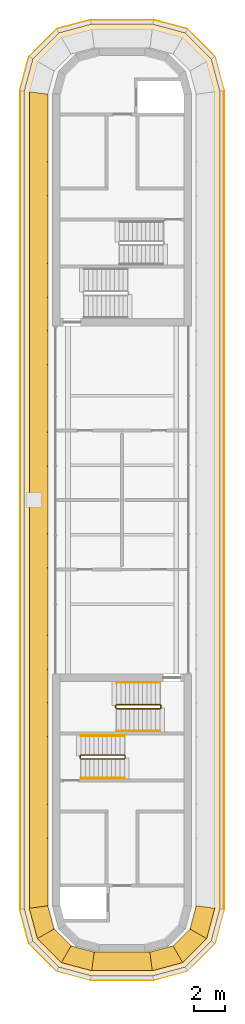
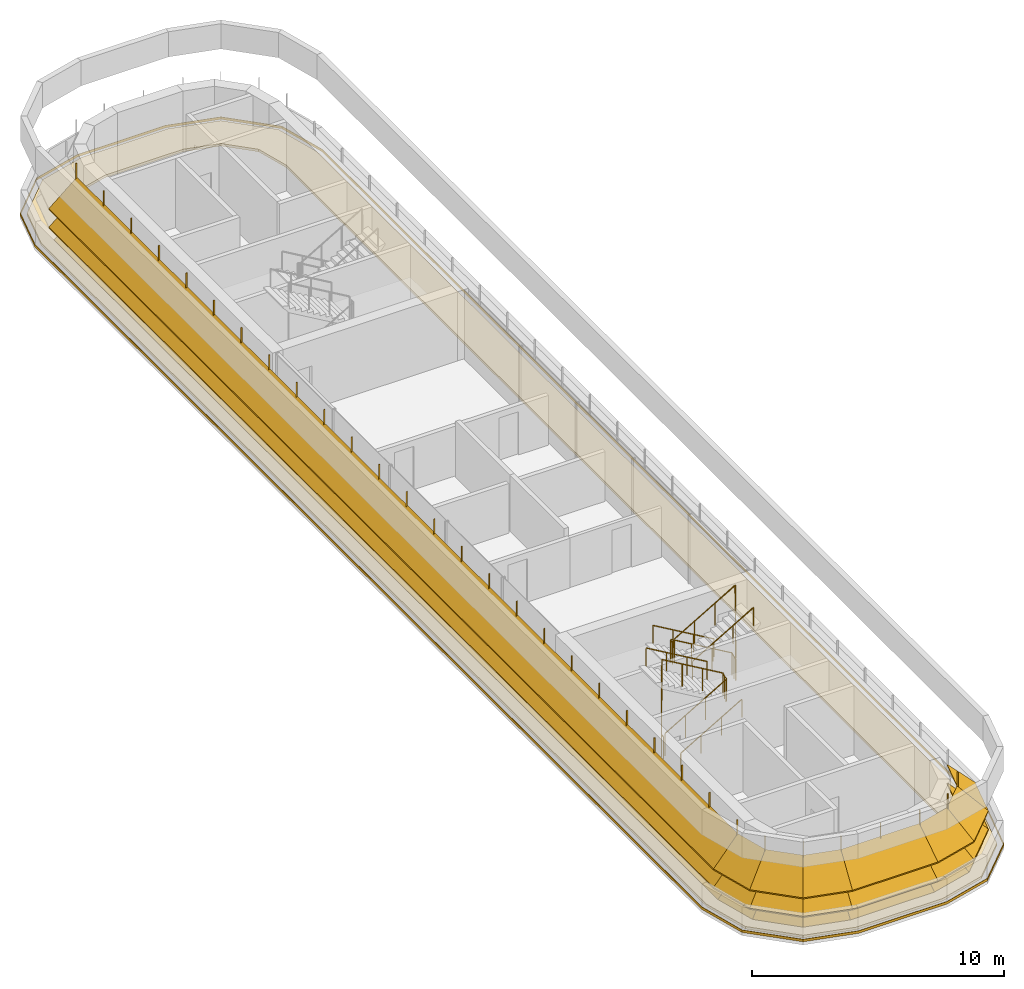
# One storey, part 5 of 6: 6 railings, 4 shading devices, 2 coverings.
"""IFC4 building model written with IfcOpenShell, lengths in metres."""

from ifc_helpers import new_model, si_unit, direction, frame, origin, origin_2d, place, context, subcontext, project, spatial, polyline, circle, outline, extrude, faceted_brep, source, transform, mapped, material, layer, layer_set, type_object, element, save


model = new_model("IFC4")

# Units and contexts
model_context = context("Model", 3, precision=1e-05, world=origin(), true_north=direction((0.0, 1.0)))
body_context = subcontext(model_context, "Body", "Model", "MODEL_VIEW")
ifc_project = project(units=[si_unit("LENGTHUNIT", "METRE"), si_unit("AREAUNIT", "SQUARE_METRE"), si_unit("VOLUMEUNIT", "CUBIC_METRE"), si_unit("PLANEANGLEUNIT", "RADIAN"), si_unit("MASSUNIT", "GRAM", prefix="KILO")], contexts=[model_context])

# Site, building, storey
site_placement = place(None, origin())
site = spatial("IfcSite", under=ifc_project, at=site_placement, CompositionType="ELEMENT")
building_placement = place(site_placement, origin())
building = spatial("IfcBuilding", under=site, at=building_placement, Name="Zarbagh Exchange Tower", CompositionType="ELEMENT")
storey_placement = place(building_placement, frame((0.0, 0.0, 316.800048828125)))
storey = spatial("IfcBuildingStorey", under=building, at=storey_placement, Name="L78", CompositionType="ELEMENT", Elevation=316.800048828125)

# Railings
ifc_material_1 = material(Name="Stainless steel", Category="steel")
railing_type_1 = type_object("IfcRailingType", Name="Stair guard 1100 mm", PredefinedType="GUARDRAIL", material=ifc_material_1)
railing_1_placement = place(storey_placement, frame((-2.64990234375, -16.75, 0.16357421875)))
element("IfcRailing", 1, at=railing_1_placement, inside=storey, type_object=railing_type_1, Name="ST3 stair guard 1", PredefinedType="GUARDRAIL", context=body_context, shape_type="SweptSolid", body=[
    extrude(circle(Radius=0.02392578125, at=origin_2d()), frame((0.0, 0.0, 1.076171875), z_axis=(0.863341702679, 0.0, 0.504619762213), x_axis=(0.0, 1.0, 0.0)), (0.0, 0.0, 1.0), 3.242919921875),
    extrude(circle(Radius=0.02392578125, at=origin_2d()), frame((2.7998046875, 0.0, 2.71240234375), z_axis=(0.707106781187, 0.707106781187, 0.0), x_axis=(-0.707106781187, 0.707106781187, 0.0)), (0.0, 0.0, 1.0), 0.07080078125),
    extrude(circle(Radius=0.02392578125, at=origin_2d()), frame((2.849853515625, 0.050048828125, 2.71240234375), z_axis=(0.0, 1.0, 0.0), x_axis=(-1.0, 0.0, 0.0)), (0.0, 0.0, 1.0), 0.14990234375),
    extrude(circle(Radius=0.02392578125, at=origin_2d()), frame((2.849853515625, 0.199951171875, 2.71240234375), z_axis=(-0.280808744504, 0.280808744504, 0.917765164963), x_axis=(-0.707106781187, -0.707106781187, 0.0)), (0.0, 0.0, 1.0), 0.17822265625),
    extrude(circle(Radius=0.02392578125, at=origin_2d()), frame((2.7998046875, 0.25, 2.8759765625), z_axis=(-0.863374499697, 0.0, 0.504563646405), x_axis=(0.0, -1.0, 0.0)), (0.0, 0.0, 1.0), 3.242919921875),
    extrude(circle(Radius=0.02392578125, at=origin_2d()), frame((0.0, 0.25, 4.51220703125), z_axis=(-0.013900331382, -0.013900331382, -0.999806762117), x_axis=(0.707106781187, -0.707106781187, 0.0)), (0.0, 0.0, 1.0), 3.6005859375),
    extrude(circle(Radius=0.02392578125, at=origin_2d()), frame((-0.050048828125, 0.199951171875, 0.91259765625), z_axis=(0.0, -1.0, 0.0), x_axis=(1.0, 0.0, 0.0)), (0.0, 0.0, 1.0), 0.14990234375),
    extrude(circle(Radius=0.02099609375, at=origin_2d()), origin(), (0.0, 0.0, 1.0), 1.052001953125),
    extrude(circle(Radius=0.02099609375, at=origin_2d()), frame((0.933349609375, 0.0, 0.54541015625)), (0.0, 0.0, 1.0), 1.052001953125),
    extrude(circle(Radius=0.02099609375, at=origin_2d()), frame((1.866455078125, 0.0, 1.091064453125)), (0.0, 0.0, 1.0), 1.052001953125),
    extrude(circle(Radius=0.02099609375, at=origin_2d()), frame((2.7998046875, 0.0, 1.636474609375)), (0.0, 0.0, 1.0), 1.052001953125),
    extrude(circle(Radius=0.02099609375, at=origin_2d()), frame((2.849853515625, 0.050048828125, 1.636474609375)), (0.0, 0.0, 1.0), 1.052001953125),
    extrude(circle(Radius=0.02099609375, at=origin_2d()), frame((2.849853515625, 0.199951171875, 1.636474609375)), (0.0, 0.0, 1.0), 1.052001953125),
    extrude(circle(Radius=0.02099609375, at=origin_2d()), frame((2.7998046875, 0.25, 1.800048828125)), (0.0, 0.0, 1.0), 1.052001953125),
    extrude(circle(Radius=0.02099609375, at=origin_2d()), frame((1.866455078125, 0.25, 2.345458984375)), (0.0, 0.0, 1.0), 1.052001953125),
    extrude(circle(Radius=0.02099609375, at=origin_2d()), frame((0.933349609375, 0.25, 2.890869140625)), (0.0, 0.0, 1.0), 1.052001953125),
    extrude(circle(Radius=0.02099609375, at=origin_2d()), frame((0.0, 0.25, 3.436279296875)), (0.0, 0.0, 1.0), 1.052001953125),
    extrude(circle(Radius=0.02099609375, at=origin_2d()), frame((-0.012451171875, 0.237548828125, 2.536376953125)), (0.0, 0.0, 1.0), 1.052001953125),
    extrude(circle(Radius=0.02099609375, at=origin_2d()), frame((-0.02490234375, 0.22509765625, 1.63623046875)), (0.0, 0.0, 1.0), 1.052001953125),
    extrude(circle(Radius=0.02099609375, at=origin_2d()), frame((-0.03759765625, 0.21240234375, 0.736328125)), (0.0, 0.0, 1.0), 1.052001953125),
    extrude(circle(Radius=0.02099609375, at=origin_2d()), frame((-0.050048828125, 0.199951171875, -0.16357421875)), (0.0, 0.0, 1.0), 1.052001953125),
    extrude(circle(Radius=0.02099609375, at=origin_2d()), frame((-0.050048828125, 0.050048828125, -0.16357421875)), (0.0, 0.0, 1.0), 1.052001953125),
])
railing_2_placement = place(storey_placement, frame((-0.35009765625, -13.5, 1.963623046875)))
element("IfcRailing", 2, at=railing_2_placement, inside=storey, type_object=railing_type_1, Name="ST4 stair guard 1", PredefinedType="GUARDRAIL", context=body_context, shape_type="SweptSolid", body=[
    extrude(circle(Radius=0.02392578125, at=origin_2d()), frame((0.0, 0.0, 1.076171875), z_axis=(0.863393664356, 0.0, 0.504530851732), x_axis=(0.0, 1.0, 0.0)), (0.0, 0.0, 1.0), 3.2431640625),
    extrude(circle(Radius=0.02392578125, at=origin_2d()), frame((2.800048828125, 0.0, 2.71240234375), z_axis=(0.013900331382, 0.013900331382, -0.999806762117), x_axis=(-0.707106781187, 0.707106781187, 0.0)), (0.0, 0.0, 1.0), 3.6005859375),
    extrude(circle(Radius=0.02392578125, at=origin_2d()), frame((2.85009765625, 0.050048828125, -0.8876953125), z_axis=(0.0, 1.0, 0.0), x_axis=(-1.0, 0.0, 0.0)), (0.0, 0.0, 1.0), 0.14990234375),
    extrude(circle(Radius=0.02392578125, at=origin_2d()), frame((2.85009765625, 0.199951171875, -0.8876953125), z_axis=(-0.280808744504, 0.280808744504, 0.917765164963), x_axis=(-0.707106781187, -0.707106781187, 0.0)), (0.0, 0.0, 1.0), 0.17822265625),
    extrude(circle(Radius=0.02392578125, at=origin_2d()), frame((2.800048828125, 0.25, -0.72412109375), z_axis=(-0.863360870873, 0.0, 0.504586966384), x_axis=(0.0, -1.0, 0.0)), (0.0, 0.0, 1.0), 3.2431640625),
    extrude(circle(Radius=0.02392578125, at=origin_2d()), frame((0.0, 0.25, 0.91259765625), z_axis=(-0.705375805398, -0.708833529934, 0.0), x_axis=(0.708833529934, -0.705375805398, 0.0)), (0.0, 0.0, 1.0), 0.070556640625),
    extrude(circle(Radius=0.02392578125, at=origin_2d()), frame((-0.0498046875, 0.199951171875, 0.91259765625), z_axis=(0.0, -1.0, 0.0), x_axis=(1.0, 0.0, 0.0)), (0.0, 0.0, 1.0), 0.14990234375),
    extrude(circle(Radius=0.02099609375, at=origin_2d()), origin(), (0.0, 0.0, 1.0), 1.052001953125),
    extrude(circle(Radius=0.02099609375, at=origin_2d()), frame((0.933349609375, 0.0, 0.54541015625)), (0.0, 0.0, 1.0), 1.052001953125),
    extrude(circle(Radius=0.02099609375, at=origin_2d()), frame((1.86669921875, 0.0, 1.0908203125)), (0.0, 0.0, 1.0), 1.052001953125),
    extrude(circle(Radius=0.02099609375, at=origin_2d()), frame((2.800048828125, 0.0, 1.63623046875)), (0.0, 0.0, 1.0), 1.052001953125),
    extrude(circle(Radius=0.02099609375, at=origin_2d()), frame((2.8125, 0.012451171875, 0.736328125)), (0.0, 0.0, 1.0), 1.052001953125),
    extrude(circle(Radius=0.02099609375, at=origin_2d()), frame((2.8251953125, 0.02490234375, -0.16357421875)), (0.0, 0.0, 1.0), 1.052001953125),
    extrude(circle(Radius=0.02099609375, at=origin_2d()), frame((2.837646484375, 0.03759765625, -1.063720703125)), (0.0, 0.0, 1.0), 1.052001953125),
    extrude(circle(Radius=0.02099609375, at=origin_2d()), frame((2.85009765625, 0.050048828125, -1.963623046875)), (0.0, 0.0, 1.0), 1.052001953125),
    extrude(circle(Radius=0.02099609375, at=origin_2d()), frame((2.85009765625, 0.199951171875, -1.963623046875)), (0.0, 0.0, 1.0), 1.052001953125),
    extrude(circle(Radius=0.02099609375, at=origin_2d()), frame((2.800048828125, 0.25, -1.800048828125)), (0.0, 0.0, 1.0), 1.052001953125),
    extrude(circle(Radius=0.02099609375, at=origin_2d()), frame((1.86669921875, 0.25, -1.254638671875)), (0.0, 0.0, 1.0), 1.052001953125),
    extrude(circle(Radius=0.02099609375, at=origin_2d()), frame((0.933349609375, 0.25, -0.708984375)), (0.0, 0.0, 1.0), 1.052001953125),
    extrude(circle(Radius=0.02099609375, at=origin_2d()), frame((0.0, 0.25, -0.16357421875)), (0.0, 0.0, 1.0), 1.052001953125),
    extrude(circle(Radius=0.02099609375, at=origin_2d()), frame((-0.0498046875, 0.199951171875, -0.16357421875)), (0.0, 0.0, 1.0), 1.052001953125),
    extrude(circle(Radius=0.02099609375, at=origin_2d()), frame((-0.0498046875, 0.050048828125, -0.16357421875)), (0.0, 0.0, 1.0), 1.052001953125),
])
railing_type_2 = type_object("IfcRailingType", Name="Stair handrail 900 mm", PredefinedType="HANDRAIL", material=ifc_material_1)
railing_3_placement = place(storey_placement, frame((-2.64990234375, -18.0, 0.16357421875)))
element("IfcRailing", 3, at=railing_3_placement, inside=storey, type_object=railing_type_2, Name="ST3 stair handrail 1", PredefinedType="HANDRAIL", context=body_context, shape_type="SweptSolid", body=[
    extrude(circle(Radius=0.02392578125, at=origin_2d()), frame((0.0, 0.0, 0.8759765625), z_axis=(0.863341702679, 0.0, 0.504619762213), x_axis=(0.0, 1.0, 0.0)), (0.0, 0.0, 1.0), 3.242919921875),
    extrude(circle(Radius=0.02099609375, at=origin_2d()), origin(), (0.0, 0.0, 1.0), 0.851806640625),
    extrude(circle(Radius=0.02099609375, at=origin_2d()), frame((0.933349609375, 0.0, 0.54541015625)), (0.0, 0.0, 1.0), 0.851806640625),
    extrude(circle(Radius=0.02099609375, at=origin_2d()), frame((1.866455078125, 0.0, 1.091064453125)), (0.0, 0.0, 1.0), 0.851806640625),
    extrude(circle(Radius=0.02099609375, at=origin_2d()), frame((2.7998046875, 0.0, 1.636474609375)), (0.0, 0.0, 1.0), 0.851806640625),
])
railing_4_placement = place(storey_placement, frame((0.14990234375, -15.25, 1.963623046875)))
element("IfcRailing", 4, at=railing_4_placement, inside=storey, type_object=railing_type_2, Name="ST3 stair handrail 2", PredefinedType="HANDRAIL", context=body_context, shape_type="SweptSolid", body=[
    extrude(circle(Radius=0.02392578125, at=origin_2d()), frame((0.0, 0.0, 0.8759765625), z_axis=(-0.863374499697, 0.0, 0.504563646405), x_axis=(0.0, -1.0, 0.0)), (0.0, 0.0, 1.0), 3.242919921875),
    extrude(circle(Radius=0.02099609375, at=origin_2d()), origin(), (0.0, 0.0, 1.0), 0.851806640625),
    extrude(circle(Radius=0.02099609375, at=origin_2d()), frame((-0.933349609375, 0.0, 0.54541015625)), (0.0, 0.0, 1.0), 0.851806640625),
    extrude(circle(Radius=0.02099609375, at=origin_2d()), frame((-1.866455078125, 0.0, 1.0908203125)), (0.0, 0.0, 1.0), 0.851806640625),
    extrude(circle(Radius=0.02099609375, at=origin_2d()), frame((-2.7998046875, 0.0, 1.63623046875)), (0.0, 0.0, 1.0), 0.851806640625),
])
railing_5_placement = place(storey_placement, frame((2.449951171875, -11.800048828125, 0.16357421875)))
element("IfcRailing", 5, at=railing_5_placement, inside=storey, type_object=railing_type_2, Name="ST4 stair handrail 1", PredefinedType="HANDRAIL", context=body_context, shape_type="SweptSolid", body=[
    extrude(circle(Radius=0.02392578125, at=origin_2d()), frame((0.0, 0.0, 0.8759765625), z_axis=(-0.863360870873, 0.0, 0.504586966384), x_axis=(0.0, -1.0, 0.0)), (0.0, 0.0, 1.0), 3.2431640625),
    extrude(circle(Radius=0.02099609375, at=origin_2d()), origin(), (0.0, 0.0, 1.0), 0.851806640625),
    extrude(circle(Radius=0.02099609375, at=origin_2d()), frame((-0.933349609375, 0.0, 0.54541015625)), (0.0, 0.0, 1.0), 0.851806640625),
    extrude(circle(Radius=0.02099609375, at=origin_2d()), frame((-1.86669921875, 0.0, 1.091064453125)), (0.0, 0.0, 1.0), 0.851806640625),
    extrude(circle(Radius=0.02099609375, at=origin_2d()), frame((-2.800048828125, 0.0, 1.636474609375)), (0.0, 0.0, 1.0), 0.851806640625),
])
railing_6_placement = place(storey_placement, frame((-0.35009765625, -14.949951171875, 1.963623046875)))
element("IfcRailing", 6, at=railing_6_placement, inside=storey, type_object=railing_type_2, Name="ST4 stair handrail 2", PredefinedType="HANDRAIL", context=body_context, shape_type="SweptSolid", body=[
    extrude(circle(Radius=0.02392578125, at=origin_2d()), frame((0.0, 0.0, 0.8759765625), z_axis=(0.863393664356, 0.0, 0.504530851732), x_axis=(0.0, 1.0, 0.0)), (0.0, 0.0, 1.0), 3.2431640625),
    extrude(circle(Radius=0.02099609375, at=origin_2d()), origin(), (0.0, 0.0, 1.0), 0.851806640625),
    extrude(circle(Radius=0.02099609375, at=origin_2d()), frame((0.933349609375, 0.0, 0.54541015625)), (0.0, 0.0, 1.0), 0.851806640625),
    extrude(circle(Radius=0.02099609375, at=origin_2d()), frame((1.86669921875, 0.0, 1.0908203125)), (0.0, 0.0, 1.0), 0.851806640625),
    extrude(circle(Radius=0.02099609375, at=origin_2d()), frame((2.800048828125, 0.0, 1.63623046875)), (0.0, 0.0, 1.0), 0.851806640625),
])

# Coverings
ifc_material_2 = material(Name="Bituminous membrane and screed")
ifc_layer = layer(ifc_material_2, 0.1201171875)
ifc_layer_set = layer_set([ifc_layer], Name="Terrace roofing build-up, waterproofing and screed")
covering_type = type_object("IfcCoveringType", Name="Terrace roofing build-up, waterproofing and screed", PredefinedType="ROOFING", material=ifc_layer_set)
covering_1_placement = place(storey_placement, origin())
element("IfcCovering", 7, at=covering_1_placement, inside=storey, type_object=covering_type, Name="crown roofing", PredefinedType="ROOFING", context=body_context, shape_type="SweptSolid", body=[
    extrude(outline(polyline([(-4.231689453125, -30.4619140625), (-6.011962890625, -28.681640625), (-6.60009765625, -26.487060546875), (-6.60009765625, 26.487060546875), (-6.011962890625, 28.681640625), (-4.231689453125, 30.4619140625), (-2.036865234375, 31.050048828125), (2.036865234375, 31.050048828125), (4.231689453125, 30.4619140625), (6.011962890625, 28.681640625), (6.60009765625, 26.487060546875), (6.60009765625, -26.487060546875), (6.011962890625, -28.681640625), (4.231689453125, -30.4619140625), (2.036865234375, -31.050048828125), (-2.036865234375, -31.050048828125), (-4.231689453125, -30.4619140625)]), holes=[polyline([(-6.580078125, -26.484375), (-5.993896484375, -28.67138671875), (-4.221435546875, -30.444091796875), (-2.0341796875, -31.030029296875), (2.0341796875, -31.030029296875), (4.221435546875, -30.444091796875), (5.993896484375, -28.67138671875), (6.580078125, -26.484375), (6.580078125, 26.484375), (5.993896484375, 28.67138671875), (4.221435546875, 30.444091796875), (2.0341796875, 31.030029296875), (-2.0341796875, 31.030029296875), (-4.221435546875, 30.444091796875), (-5.993896484375, 28.67138671875), (-6.580078125, 26.484375), (-6.580078125, -26.484375)])]), origin(), (0.0, 0.0, 1.0), 0.119873046875),
])
covering_2_placement = place(storey_placement, origin())
element("IfcCovering", 8, at=covering_2_placement, inside=storey, type_object=covering_type, Name="crown roofing", PredefinedType="ROOFING", context=body_context, shape_type="SweptSolid", body=[
    extrude(outline(polyline([(2.00146484375, 30.780029296875), (4.092041015625, 30.2197265625), (5.769775390625, 28.5419921875), (6.330078125, 26.451416015625), (6.330078125, -26.451416015625), (5.769775390625, -28.5419921875), (4.092041015625, -30.2197265625), (2.00146484375, -30.780029296875), (-2.00146484375, -30.780029296875), (-4.092041015625, -30.2197265625), (-5.769775390625, -28.5419921875), (-6.330078125, -26.451416015625), (-6.330078125, 26.451416015625), (-5.769775390625, 28.5419921875), (-4.092041015625, 30.2197265625), (-2.00146484375, 30.780029296875), (2.00146484375, 30.780029296875)]), holes=[polyline([(4.398193359375, -27.75), (4.800048828125, -26.25), (4.800048828125, 26.25), (4.398193359375, 27.75), (3.300048828125, 28.84814453125), (1.800048828125, 29.25), (-1.800048828125, 29.25), (-3.300048828125, 28.84814453125), (-4.398193359375, 27.75), (-4.800048828125, 26.25), (-4.800048828125, -26.25), (-4.398193359375, -27.75), (-3.300048828125, -28.84814453125), (-1.800048828125, -29.25), (1.800048828125, -29.25), (3.300048828125, -28.84814453125), (4.398193359375, -27.75)])]), origin(), (0.0, 0.0, 1.0), 0.119873046875),
])

# Shading devices
ifc_material_3 = material(Name="Anodised aluminium blades and brackets", Category="aluminium")
shading_device_type = type_object("IfcShadingDeviceType", Name="SUNSHADE louvre band, 45 degree blades", PredefinedType="JALOUSIE", material=ifc_material_3)
shared_shape_1 = source(origin(), body_context, "Body", "Brep", [
    faceted_brep([(0.0, 0.0, 0.0), (0.0, 0.0, -0.056640625), (-0.157958984375, -1.199951171875, -1.256591796875), (-0.157958984375, -1.199951171875, -1.199951171875), (1.87451171875, -1.199951171875, -1.199951171875), (1.87451171875, -1.199951171875, -1.256591796875), (1.552978515625, 0.0, -0.056640625), (1.552978515625, 0.0, 0.0)], [[[0, 1, 2, 3]], [[4, 5, 6, 7]], [[0, 7, 6, 1]], [[1, 6, 5, 2]], [[2, 5, 4, 3]], [[3, 4, 7, 0]]]),
])
shared_shape_2 = source(origin(), body_context, "Body", "Brep", [
    faceted_brep([(0.0, 0.0, 0.0), (0.0, 0.0, -0.056640625), (-0.321533203125, -1.199951171875, -1.256591796875), (-0.321533203125, -1.199951171875, -1.199951171875), (1.87451171875, -1.199951171875, -1.199951171875), (1.87451171875, -1.199951171875, -1.256591796875), (1.552978515625, 0.0, -0.056640625), (1.552978515625, 0.0, 0.0)], [[[0, 1, 2, 3]], [[4, 5, 6, 7]], [[0, 7, 6, 1]], [[1, 6, 5, 2]], [[2, 5, 4, 3]], [[3, 4, 7, 0]]]),
])
shared_shape_3 = source(origin(), body_context, "Body", "Brep", [
    faceted_brep([(0.0, 0.0, 0.0), (0.0, 0.0, -0.056640625), (-0.321533203125, -1.199951171875, -1.256591796875), (-0.321533203125, -1.199951171875, -1.199951171875), (1.7109375, -1.199951171875, -1.199951171875), (1.7109375, -1.199951171875, -1.256591796875), (1.552978515625, 0.0, -0.056640625), (1.552978515625, 0.0, 0.0)], [[[0, 1, 2, 3]], [[4, 5, 6, 7]], [[0, 7, 6, 1]], [[1, 6, 5, 2]], [[2, 5, 4, 3]], [[3, 4, 7, 0]]]),
])
shared_shape_4 = source(origin(), body_context, "Body", "SweptSolid", [
    extrude(outline(polyline([(0.0, -0.012451171875), (0.06005859375, -0.012451171875), (0.06005859375, 0.012451171875), (0.0, 0.012451171875), (0.0, -0.012451171875)])), origin(), (0.0, 0.0, 1.0), 2.566650390625),
])
placement = place(storey_placement, origin())
element("IfcShadingDevice", 9, at=placement, inside=storey, type_object=shading_device_type, Name="SS74 sunshade band", PredefinedType="JALOUSIE", context=body_context, shape_type="MappedRepresentation", body=[
    mapped(shared_shape_1, transform((1.800048828125, -29.25, 2.89990234375), x_axis=(0.965929656001, 0.258804752, 0.0), y_axis=(-0.258804752, 0.965929656001, 0.0), z_axis=(0.0, 0.0, 1.0))),
    mapped(shared_shape_1, transform((1.800048828125, -29.25, 2.0), x_axis=(0.965929656001, 0.258804752, 0.0), y_axis=(-0.258804752, 0.965929656001, 0.0), z_axis=(0.0, 0.0, 1.0))),
    mapped(shared_shape_1, transform((1.800048828125, -29.25, 1.099853515625), x_axis=(0.965929656001, 0.258804752, 0.0), y_axis=(-0.258804752, 0.965929656001, 0.0), z_axis=(0.0, 0.0, 1.0))),
    mapped(shared_shape_2, transform((3.300048828125, -28.84814453125, 2.89990234375), x_axis=(0.707106781187, 0.707106781187, 0.0), y_axis=(-0.707106781187, 0.707106781187, 0.0), z_axis=(0.0, 0.0, 1.0))),
    mapped(shared_shape_2, transform((3.300048828125, -28.84814453125, 2.0), x_axis=(0.707106781187, 0.707106781187, 0.0), y_axis=(-0.707106781187, 0.707106781187, 0.0), z_axis=(0.0, 0.0, 1.0))),
    mapped(shared_shape_2, transform((3.300048828125, -28.84814453125, 1.099853515625), x_axis=(0.707106781187, 0.707106781187, 0.0), y_axis=(-0.707106781187, 0.707106781187, 0.0), z_axis=(0.0, 0.0, 1.0))),
    mapped(shared_shape_3, transform((4.398193359375, -27.75, 2.89990234375), x_axis=(0.258804752, 0.965929656001, 0.0), y_axis=(-0.965929656001, 0.258804752, 0.0), z_axis=(0.0, 0.0, 1.0))),
    mapped(shared_shape_3, transform((4.398193359375, -27.75, 2.0), x_axis=(0.258804752, 0.965929656001, 0.0), y_axis=(-0.965929656001, 0.258804752, 0.0), z_axis=(0.0, 0.0, 1.0))),
    mapped(shared_shape_3, transform((4.398193359375, -27.75, 1.099853515625), x_axis=(0.258804752, 0.965929656001, 0.0), y_axis=(-0.965929656001, 0.258804752, 0.0), z_axis=(0.0, 0.0, 1.0))),
    mapped(shared_shape_4, transform((1.800048828125, -29.25, 1.013427734375), x_axis=(0.130518956985, -0.991445813884, 0.0), y_axis=(0.991445813884, 0.130518956985, 0.0), z_axis=(0.0, 0.0, 1.0))),
    mapped(shared_shape_4, transform((3.300048828125, -28.84814453125, 1.013427734375), x_axis=(0.499993648036, -0.866029071062, 0.0), y_axis=(0.866029071062, 0.499993648036, 0.0), z_axis=(0.0, 0.0, 1.0))),
    mapped(shared_shape_4, transform((4.398193359375, -27.75, 1.013427734375), x_axis=(0.866029071062, -0.499993648036, 0.0), y_axis=(0.499993648036, 0.866029071062, 0.0), z_axis=(0.0, 0.0, 1.0))),
])
element("IfcShadingDevice", 10, at=placement, inside=storey, type_object=shading_device_type, Name="SS79 sunshade band", PredefinedType="JALOUSIE", context=body_context, shape_type="MappedRepresentation", body=[
    mapped(shared_shape_1, transform((-4.800048828125, -26.25, 2.89990234375), x_axis=(0.258804752, -0.965929656001, 0.0), y_axis=(0.965929656001, 0.258804752, 0.0), z_axis=(0.0, 0.0, 1.0))),
    mapped(shared_shape_1, transform((-4.800048828125, -26.25, 2.0), x_axis=(0.258804752, -0.965929656001, 0.0), y_axis=(0.965929656001, 0.258804752, 0.0), z_axis=(0.0, 0.0, 1.0))),
    mapped(shared_shape_1, transform((-4.800048828125, -26.25, 1.099853515625), x_axis=(0.258804752, -0.965929656001, 0.0), y_axis=(0.965929656001, 0.258804752, 0.0), z_axis=(0.0, 0.0, 1.0))),
    mapped(shared_shape_2, transform((-4.398193359375, -27.75, 2.89990234375), x_axis=(0.707106781187, -0.707106781187, 0.0), y_axis=(0.707106781187, 0.707106781187, 0.0), z_axis=(0.0, 0.0, 1.0))),
    mapped(shared_shape_2, transform((-4.398193359375, -27.75, 2.0), x_axis=(0.707106781187, -0.707106781187, 0.0), y_axis=(0.707106781187, 0.707106781187, 0.0), z_axis=(0.0, 0.0, 1.0))),
    mapped(shared_shape_2, transform((-4.398193359375, -27.75, 1.099853515625), x_axis=(0.707106781187, -0.707106781187, 0.0), y_axis=(0.707106781187, 0.707106781187, 0.0), z_axis=(0.0, 0.0, 1.0))),
    mapped(shared_shape_3, transform((-3.300048828125, -28.84814453125, 2.89990234375), x_axis=(0.965929656001, -0.258804752, 0.0), y_axis=(0.258804752, 0.965929656001, 0.0), z_axis=(0.0, 0.0, 1.0))),
    mapped(shared_shape_3, transform((-3.300048828125, -28.84814453125, 2.0), x_axis=(0.965929656001, -0.258804752, 0.0), y_axis=(0.258804752, 0.965929656001, 0.0), z_axis=(0.0, 0.0, 1.0))),
    mapped(shared_shape_3, transform((-3.300048828125, -28.84814453125, 1.099853515625), x_axis=(0.965929656001, -0.258804752, 0.0), y_axis=(0.258804752, 0.965929656001, 0.0), z_axis=(0.0, 0.0, 1.0))),
    mapped(shared_shape_4, transform((-4.800048828125, -26.25, 1.013427734375), x_axis=(-0.991445813884, -0.130518956985, 0.0), y_axis=(0.130518956985, -0.991445813884, 0.0), z_axis=(0.0, 0.0, 1.0))),
    mapped(shared_shape_4, transform((-4.398193359375, -27.75, 1.013427734375), x_axis=(-0.866029071062, -0.499993648036, 0.0), y_axis=(0.499993648036, -0.866029071062, 0.0), z_axis=(0.0, 0.0, 1.0))),
    mapped(shared_shape_4, transform((-3.300048828125, -28.84814453125, 1.013427734375), x_axis=(-0.499993648036, -0.866029071062, 0.0), y_axis=(0.866029071062, -0.499993648036, 0.0), z_axis=(0.0, 0.0, 1.0))),
])
shared_shape_5 = source(origin(), body_context, "Body", "Brep", [
    faceted_brep([(0.0, 0.0, 0.0), (0.0, 0.0, -0.056640625), (-0.157958984375, -1.199951171875, -1.256591796875), (-0.157958984375, -1.199951171875, -1.199951171875), (52.657958984375, -1.199951171875, -1.199951171875), (52.657958984375, -1.199951171875, -1.256591796875), (52.5, 0.0, -0.056640625), (52.5, 0.0, 0.0)], [[[0, 1, 2, 3]], [[4, 5, 6, 7]], [[0, 7, 6, 1]], [[1, 6, 5, 2]], [[2, 5, 4, 3]], [[3, 4, 7, 0]]]),
])
element("IfcShadingDevice", 11, at=placement, inside=storey, type_object=shading_device_type, Name="SS78 sunshade band", PredefinedType="JALOUSIE", context=body_context, shape_type="MappedRepresentation", body=[
    mapped(shared_shape_5, transform((-4.800048828125, 26.25, 2.89990234375), x_axis=(0.0, -1.0, 0.0), y_axis=(1.0, 0.0, 0.0), z_axis=(0.0, 0.0, 1.0))),
    mapped(shared_shape_5, transform((-4.800048828125, 26.25, 2.0), x_axis=(0.0, -1.0, 0.0), y_axis=(1.0, 0.0, 0.0), z_axis=(0.0, 0.0, 1.0))),
    mapped(shared_shape_5, transform((-4.800048828125, 26.25, 1.099853515625), x_axis=(0.0, -1.0, 0.0), y_axis=(1.0, 0.0, 0.0), z_axis=(0.0, 0.0, 1.0))),
    mapped(shared_shape_4, transform((-4.800048828125, 26.25, 1.013427734375), x_axis=(-0.991445813884, 0.130518956985, 0.0), y_axis=(-0.130518956985, -0.991445813884, 0.0), z_axis=(0.0, 0.0, 1.0))),
    mapped(shared_shape_4, transform((-4.800048828125, 24.0625, 1.013427734375), x_axis=(-1.0, 0.0, 0.0), y_axis=(0.0, -1.0, 0.0), z_axis=(0.0, 0.0, 1.0))),
    mapped(shared_shape_4, transform((-4.800048828125, 21.875, 1.013427734375), x_axis=(-1.0, 0.0, 0.0), y_axis=(0.0, -1.0, 0.0), z_axis=(0.0, 0.0, 1.0))),
    mapped(shared_shape_4, transform((-4.800048828125, 19.6875, 1.013427734375), x_axis=(-1.0, 0.0, 0.0), y_axis=(0.0, -1.0, 0.0), z_axis=(0.0, 0.0, 1.0))),
    mapped(shared_shape_4, transform((-4.800048828125, 17.5, 1.013427734375), x_axis=(-1.0, 0.0, 0.0), y_axis=(0.0, -1.0, 0.0), z_axis=(0.0, 0.0, 1.0))),
    mapped(shared_shape_4, transform((-4.800048828125, 15.3125, 1.013427734375), x_axis=(-1.0, 0.0, 0.0), y_axis=(0.0, -1.0, 0.0), z_axis=(0.0, 0.0, 1.0))),
    mapped(shared_shape_4, transform((-4.800048828125, 13.125, 1.013427734375), x_axis=(-1.0, 0.0, 0.0), y_axis=(0.0, -1.0, 0.0), z_axis=(0.0, 0.0, 1.0))),
    mapped(shared_shape_4, transform((-4.800048828125, 10.9375, 1.013427734375), x_axis=(-1.0, 0.0, 0.0), y_axis=(0.0, -1.0, 0.0), z_axis=(0.0, 0.0, 1.0))),
    mapped(shared_shape_4, transform((-4.800048828125, 8.75, 1.013427734375), x_axis=(-1.0, 0.0, 0.0), y_axis=(0.0, -1.0, 0.0), z_axis=(0.0, 0.0, 1.0))),
    mapped(shared_shape_4, transform((-4.800048828125, 6.5625, 1.013427734375), x_axis=(-1.0, 0.0, 0.0), y_axis=(0.0, -1.0, 0.0), z_axis=(0.0, 0.0, 1.0))),
    mapped(shared_shape_4, transform((-4.800048828125, 4.375, 1.013427734375), x_axis=(-1.0, 0.0, 0.0), y_axis=(0.0, -1.0, 0.0), z_axis=(0.0, 0.0, 1.0))),
    mapped(shared_shape_4, transform((-4.800048828125, 2.1875, 1.013427734375), x_axis=(-1.0, 0.0, 0.0), y_axis=(0.0, -1.0, 0.0), z_axis=(0.0, 0.0, 1.0))),
    mapped(shared_shape_4, transform((-4.800048828125, 0.0, 1.013427734375), x_axis=(-1.0, 0.0, 0.0), y_axis=(0.0, -1.0, 0.0), z_axis=(0.0, 0.0, 1.0))),
    mapped(shared_shape_4, transform((-4.800048828125, -2.1875, 1.013427734375), x_axis=(-1.0, 0.0, 0.0), y_axis=(0.0, -1.0, 0.0), z_axis=(0.0, 0.0, 1.0))),
    mapped(shared_shape_4, transform((-4.800048828125, -4.375, 1.013427734375), x_axis=(-1.0, 0.0, 0.0), y_axis=(0.0, -1.0, 0.0), z_axis=(0.0, 0.0, 1.0))),
    mapped(shared_shape_4, transform((-4.800048828125, -6.5625, 1.013427734375), x_axis=(-1.0, 0.0, 0.0), y_axis=(0.0, -1.0, 0.0), z_axis=(0.0, 0.0, 1.0))),
    mapped(shared_shape_4, transform((-4.800048828125, -8.75, 1.013427734375), x_axis=(-1.0, 0.0, 0.0), y_axis=(0.0, -1.0, 0.0), z_axis=(0.0, 0.0, 1.0))),
    mapped(shared_shape_4, transform((-4.800048828125, -10.9375, 1.013427734375), x_axis=(-1.0, 0.0, 0.0), y_axis=(0.0, -1.0, 0.0), z_axis=(0.0, 0.0, 1.0))),
    mapped(shared_shape_4, transform((-4.800048828125, -13.125, 1.013427734375), x_axis=(-1.0, 0.0, 0.0), y_axis=(0.0, -1.0, 0.0), z_axis=(0.0, 0.0, 1.0))),
    mapped(shared_shape_4, transform((-4.800048828125, -15.3125, 1.013427734375), x_axis=(-1.0, 0.0, 0.0), y_axis=(0.0, -1.0, 0.0), z_axis=(0.0, 0.0, 1.0))),
    mapped(shared_shape_4, transform((-4.800048828125, -17.5, 1.013427734375), x_axis=(-1.0, 0.0, 0.0), y_axis=(0.0, -1.0, 0.0), z_axis=(0.0, 0.0, 1.0))),
    mapped(shared_shape_4, transform((-4.800048828125, -19.6875, 1.013427734375), x_axis=(-1.0, 0.0, 0.0), y_axis=(0.0, -1.0, 0.0), z_axis=(0.0, 0.0, 1.0))),
    mapped(shared_shape_4, transform((-4.800048828125, -21.875, 1.013427734375), x_axis=(-1.0, 0.0, 0.0), y_axis=(0.0, -1.0, 0.0), z_axis=(0.0, 0.0, 1.0))),
    mapped(shared_shape_4, transform((-4.800048828125, -24.0625, 1.013427734375), x_axis=(-1.0, 0.0, 0.0), y_axis=(0.0, -1.0, 0.0), z_axis=(0.0, 0.0, 1.0))),
])
shared_shape_6 = source(origin(), body_context, "Body", "Brep", [
    faceted_brep([(0.0, 0.0, 0.0), (0.0, 0.0, -0.056640625), (-0.157958984375, -1.199951171875, -1.256591796875), (-0.157958984375, -1.199951171875, -1.199951171875), (3.758056640625, -1.199951171875, -1.199951171875), (3.758056640625, -1.199951171875, -1.256591796875), (3.60009765625, 0.0, -0.056640625), (3.60009765625, 0.0, 0.0)], [[[0, 1, 2, 3]], [[4, 5, 6, 7]], [[0, 7, 6, 1]], [[1, 6, 5, 2]], [[2, 5, 4, 3]], [[3, 4, 7, 0]]]),
])
element("IfcShadingDevice", 12, at=placement, inside=storey, type_object=shading_device_type, Name="SS69 sunshade band", PredefinedType="JALOUSIE", context=body_context, shape_type="MappedRepresentation", body=[
    mapped(shared_shape_6, transform((-1.800048828125, -29.25, 2.89990234375), x_axis=(1.0, 0.0, 0.0), y_axis=(0.0, 1.0, 0.0), z_axis=(0.0, 0.0, 1.0))),
    mapped(shared_shape_6, transform((-1.800048828125, -29.25, 2.0), x_axis=(1.0, 0.0, 0.0), y_axis=(0.0, 1.0, 0.0), z_axis=(0.0, 0.0, 1.0))),
    mapped(shared_shape_6, transform((-1.800048828125, -29.25, 1.099853515625), x_axis=(1.0, 0.0, 0.0), y_axis=(0.0, 1.0, 0.0), z_axis=(0.0, 0.0, 1.0))),
    mapped(shared_shape_4, transform((-1.800048828125, -29.25, 1.013427734375), x_axis=(-0.130518956985, -0.991445813884, 0.0), y_axis=(0.991445813884, -0.130518956985, 0.0), z_axis=(0.0, 0.0, 1.0))),
    mapped(shared_shape_4, transform((0.0, -29.25, 1.013427734375), x_axis=(0.0, -1.0, 0.0), y_axis=(1.0, 0.0, 0.0), z_axis=(0.0, 0.0, 1.0))),
])

save(model, "model.ifc")
